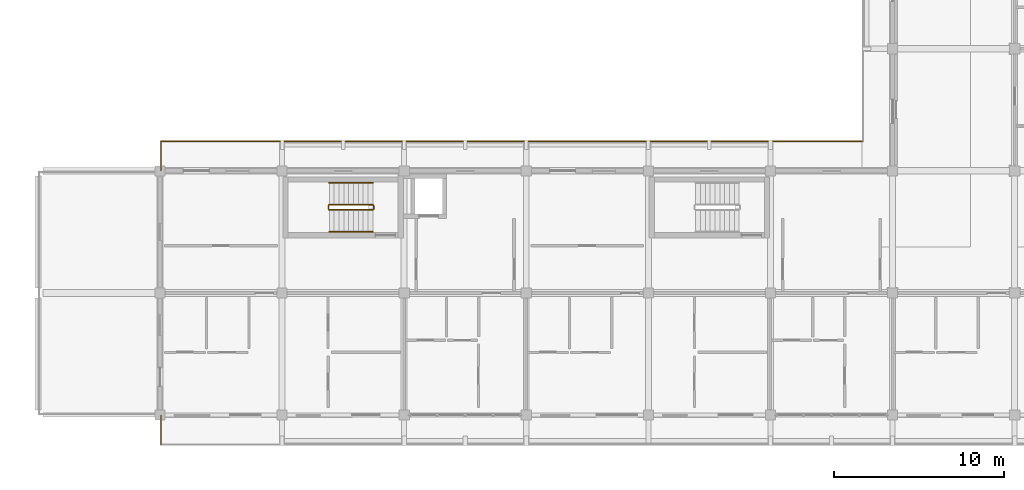
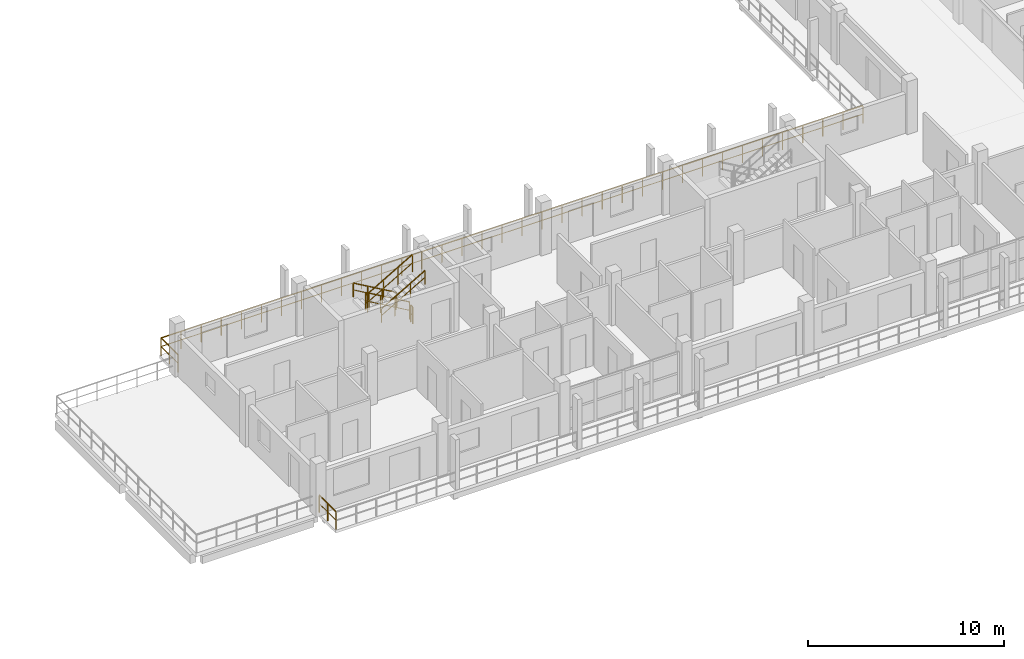
# One storey, part 69 of 75: 9 railings.
"""IFC4 building model written with IfcOpenShell, lengths in metres."""

from ifc_helpers import new_model, si_unit, direction, frame, origin, origin_2d, place, context, subcontext, project, spatial, rectangle, extrude, material, type_object, element, save


model = new_model("IFC4")

# Units and contexts
model_context = context("Model", 3, precision=1e-05, world=origin(), true_north=direction((0.0, 1.0)))
body_context = subcontext(model_context, "Body", "Model", "MODEL_VIEW")
ifc_project = project(units=[si_unit("LENGTHUNIT", "METRE"), si_unit("AREAUNIT", "SQUARE_METRE"), si_unit("VOLUMEUNIT", "CUBIC_METRE"), si_unit("PLANEANGLEUNIT", "RADIAN"), si_unit("MASSUNIT", "GRAM", prefix="KILO")], contexts=[model_context])

# Site, building, storey
site_placement = place(None, origin())
site = spatial("IfcSite", under=ifc_project, at=site_placement, CompositionType="ELEMENT")
building_placement = place(site_placement, origin())
building = spatial("IfcBuilding", under=site, at=building_placement, Name="Suanplinth Sawtooth Commons", CompositionType="ELEMENT")
storey_placement = place(building_placement, frame((0.0, 0.0, 18.60009765625)))
storey = spatial("IfcBuildingStorey", under=building, at=storey_placement, Name="L05", CompositionType="ELEMENT", Elevation=18.60009765625)

# Railings
ifc_material_1 = material(Name="Powder-coated galvanized steel", Category="steel")
railing_type_1 = type_object("IfcRailingType", Name="GR-01", PredefinedType="BALUSTRADE", material=ifc_material_1)
for number, where, name in (
    (1, (129.659912109375, -1.739990234375, 0.0), "L05 Block C Perimeter Balustrade 1"),
    (2, (129.659912109375, 14.419921875, 0.0), "L05 Block C Perimeter Balustrade 5"),
):
    element("IfcRailing", number, at=place(storey_placement, frame(where)), inside=storey, type_object=railing_type_1, Name=name, PredefinedType="BALUSTRADE", context=body_context, shape_type="SweptSolid", body=[
        extrude(rectangle(XDim=0.048095703125, YDim=0.048095703125, at=origin_2d()), frame((0.0, 0.0, 1.09619140625), z_axis=(0.0, 1.0, 0.0), x_axis=(-1.0, 0.0, 0.0)), (0.0, 0.0, 1.0), 1.719970703125),
        extrude(rectangle(XDim=0.03369140625, YDim=0.03369140625, at=origin_2d()), frame((0.0, 0.0, 0.56005859375), z_axis=(0.0, 1.0, 0.0), x_axis=(-1.0, 0.0, 0.0)), (0.0, 0.0, 1.0), 1.719970703125),
        extrude(rectangle(XDim=0.0419921875, YDim=0.0419921875, at=origin_2d()), origin(), (0.0, 0.0, 1.0), 1.072021484375),
        extrude(rectangle(XDim=0.0419921875, YDim=0.0419921875, at=origin_2d()), frame((0.0, 0.85986328125, 0.0)), (0.0, 0.0, 1.0), 1.072021484375),
        extrude(rectangle(XDim=0.0419921875, YDim=0.0419921875, at=origin_2d()), frame((0.0, 1.719970703125, 0.0)), (0.0, 0.0, 1.0), 1.072021484375),
    ])
railing_1_placement = place(storey_placement, frame((129.659912109375, 16.139892578125, 0.0)))
element("IfcRailing", 3, at=railing_1_placement, inside=storey, type_object=railing_type_1, Name="L05 Block C Perimeter Balustrade 6", PredefinedType="BALUSTRADE", context=body_context, shape_type="SweptSolid", body=[
    extrude(rectangle(XDim=0.048095703125, YDim=0.048095703125, at=origin_2d()), frame((0.0, 0.0, 1.09619140625), z_axis=(1.0, 0.0, 0.0), x_axis=(0.0, 1.0, 0.0)), (0.0, 0.0, 1.0), 41.400146484375),
    extrude(rectangle(XDim=0.03369140625, YDim=0.03369140625, at=origin_2d()), frame((0.0, 0.0, 0.56005859375), z_axis=(1.0, 0.0, 0.0), x_axis=(0.0, 1.0, 0.0)), (0.0, 0.0, 1.0), 41.400146484375),
    extrude(rectangle(XDim=0.0419921875, YDim=0.0419921875, at=origin_2d()), origin(), (0.0, 0.0, 1.0), 1.072021484375),
    extrude(rectangle(XDim=0.0419921875, YDim=0.0419921875, at=origin_2d()), frame((1.182861328125, 0.0, 0.0)), (0.0, 0.0, 1.0), 1.072021484375),
    extrude(rectangle(XDim=0.0419921875, YDim=0.0419921875, at=origin_2d()), frame((2.36572265625, 0.0, 0.0)), (0.0, 0.0, 1.0), 1.072021484375),
    extrude(rectangle(XDim=0.0419921875, YDim=0.0419921875, at=origin_2d()), frame((3.548583984375, 0.0, 0.0)), (0.0, 0.0, 1.0), 1.072021484375),
    extrude(rectangle(XDim=0.0419921875, YDim=0.0419921875, at=origin_2d()), frame((4.7314453125, 0.0, 0.0)), (0.0, 0.0, 1.0), 1.072021484375),
    extrude(rectangle(XDim=0.0419921875, YDim=0.0419921875, at=origin_2d()), frame((5.914306640625, 0.0, 0.0)), (0.0, 0.0, 1.0), 1.072021484375),
    extrude(rectangle(XDim=0.0419921875, YDim=0.0419921875, at=origin_2d()), frame((7.09716796875, 0.0, 0.0)), (0.0, 0.0, 1.0), 1.072021484375),
    extrude(rectangle(XDim=0.0419921875, YDim=0.0419921875, at=origin_2d()), frame((8.280029296875, 0.0, 0.0)), (0.0, 0.0, 1.0), 1.072021484375),
    extrude(rectangle(XDim=0.0419921875, YDim=0.0419921875, at=origin_2d()), frame((9.462890625, 0.0, 0.0)), (0.0, 0.0, 1.0), 1.072021484375),
    extrude(rectangle(XDim=0.0419921875, YDim=0.0419921875, at=origin_2d()), frame((10.645751953125, 0.0, 0.0)), (0.0, 0.0, 1.0), 1.072021484375),
    extrude(rectangle(XDim=0.0419921875, YDim=0.0419921875, at=origin_2d()), frame((11.82861328125, 0.0, 0.0)), (0.0, 0.0, 1.0), 1.072021484375),
    extrude(rectangle(XDim=0.0419921875, YDim=0.0419921875, at=origin_2d()), frame((13.011474609375, 0.0, 0.0)), (0.0, 0.0, 1.0), 1.072021484375),
    extrude(rectangle(XDim=0.0419921875, YDim=0.0419921875, at=origin_2d()), frame((14.1943359375, 0.0, 0.0)), (0.0, 0.0, 1.0), 1.072021484375),
    extrude(rectangle(XDim=0.0419921875, YDim=0.0419921875, at=origin_2d()), frame((15.377197265625, 0.0, 0.0)), (0.0, 0.0, 1.0), 1.072021484375),
    extrude(rectangle(XDim=0.0419921875, YDim=0.0419921875, at=origin_2d()), frame((16.56005859375, 0.0, 0.0)), (0.0, 0.0, 1.0), 1.072021484375),
    extrude(rectangle(XDim=0.0419921875, YDim=0.0419921875, at=origin_2d()), frame((17.742919921875, 0.0, 0.0)), (0.0, 0.0, 1.0), 1.072021484375),
    extrude(rectangle(XDim=0.0419921875, YDim=0.0419921875, at=origin_2d()), frame((18.92578125, 0.0, 0.0)), (0.0, 0.0, 1.0), 1.072021484375),
    extrude(rectangle(XDim=0.0419921875, YDim=0.0419921875, at=origin_2d()), frame((20.108642578125, 0.0, 0.0)), (0.0, 0.0, 1.0), 1.072021484375),
    extrude(rectangle(XDim=0.0419921875, YDim=0.0419921875, at=origin_2d()), frame((21.29150390625, 0.0, 0.0)), (0.0, 0.0, 1.0), 1.072021484375),
    extrude(rectangle(XDim=0.0419921875, YDim=0.0419921875, at=origin_2d()), frame((22.474365234375, 0.0, 0.0)), (0.0, 0.0, 1.0), 1.072021484375),
    extrude(rectangle(XDim=0.0419921875, YDim=0.0419921875, at=origin_2d()), frame((23.6572265625, 0.0, 0.0)), (0.0, 0.0, 1.0), 1.072021484375),
    extrude(rectangle(XDim=0.0419921875, YDim=0.0419921875, at=origin_2d()), frame((24.840087890625, 0.0, 0.0)), (0.0, 0.0, 1.0), 1.072021484375),
    extrude(rectangle(XDim=0.0419921875, YDim=0.0419921875, at=origin_2d()), frame((26.02294921875, 0.0, 0.0)), (0.0, 0.0, 1.0), 1.072021484375),
    extrude(rectangle(XDim=0.0419921875, YDim=0.0419921875, at=origin_2d()), frame((27.205810546875, 0.0, 0.0)), (0.0, 0.0, 1.0), 1.072021484375),
    extrude(rectangle(XDim=0.0419921875, YDim=0.0419921875, at=origin_2d()), frame((28.388671875, 0.0, 0.0)), (0.0, 0.0, 1.0), 1.072021484375),
    extrude(rectangle(XDim=0.0419921875, YDim=0.0419921875, at=origin_2d()), frame((29.571533203125, 0.0, 0.0)), (0.0, 0.0, 1.0), 1.072021484375),
    extrude(rectangle(XDim=0.0419921875, YDim=0.0419921875, at=origin_2d()), frame((30.75439453125, 0.0, 0.0)), (0.0, 0.0, 1.0), 1.072021484375),
    extrude(rectangle(XDim=0.0419921875, YDim=0.0419921875, at=origin_2d()), frame((31.937255859375, 0.0, 0.0)), (0.0, 0.0, 1.0), 1.072021484375),
    extrude(rectangle(XDim=0.0419921875, YDim=0.0419921875, at=origin_2d()), frame((33.1201171875, 0.0, 0.0)), (0.0, 0.0, 1.0), 1.072021484375),
    extrude(rectangle(XDim=0.0419921875, YDim=0.0419921875, at=origin_2d()), frame((34.302978515625, 0.0, 0.0)), (0.0, 0.0, 1.0), 1.072021484375),
    extrude(rectangle(XDim=0.0419921875, YDim=0.0419921875, at=origin_2d()), frame((35.48583984375, 0.0, 0.0)), (0.0, 0.0, 1.0), 1.072021484375),
    extrude(rectangle(XDim=0.0419921875, YDim=0.0419921875, at=origin_2d()), frame((36.668701171875, 0.0, 0.0)), (0.0, 0.0, 1.0), 1.072021484375),
    extrude(rectangle(XDim=0.0419921875, YDim=0.0419921875, at=origin_2d()), frame((37.8515625, 0.0, 0.0)), (0.0, 0.0, 1.0), 1.072021484375),
    extrude(rectangle(XDim=0.0419921875, YDim=0.0419921875, at=origin_2d()), frame((39.034423828125, 0.0, 0.0)), (0.0, 0.0, 1.0), 1.072021484375),
    extrude(rectangle(XDim=0.0419921875, YDim=0.0419921875, at=origin_2d()), frame((40.21728515625, 0.0, 0.0)), (0.0, 0.0, 1.0), 1.072021484375),
    extrude(rectangle(XDim=0.0419921875, YDim=0.0419921875, at=origin_2d()), frame((41.400146484375, 0.0, 0.0)), (0.0, 0.0, 1.0), 1.072021484375),
])
ifc_material_2 = material(Name="Stainless steel Grade 304", Category="steel")
railing_type_2 = type_object("IfcRailingType", Name="GR-04", PredefinedType="GUARDRAIL", material=ifc_material_2)
railing_2_placement = place(storey_placement, frame((142.14990234375, 12.39990234375, 0.164794921875)))
element("IfcRailing", 4, at=railing_2_placement, inside=storey, type_object=railing_type_2, Name="L05 ST-S1 Guard 1", PredefinedType="GUARDRAIL", context=body_context, shape_type="SweptSolid", body=[
    extrude(rectangle(XDim=0.048095703125, YDim=0.048095703125, at=origin_2d()), frame((0.0, 0.0, 1.076171875), z_axis=(-0.865405606168, 0.0, 0.501071987656), x_axis=(0.0, -1.0, 0.0)), (0.0, 0.0, 1.0), 2.9638671875),
    extrude(rectangle(XDim=0.03369140625, YDim=0.03369140625, at=origin_2d()), frame((0.0, 0.0, 0.550048828125), z_axis=(-0.865405606168, 0.0, 0.501071987656), x_axis=(0.0, -1.0, 0.0)), (0.0, 0.0, 1.0), 2.9638671875),
    extrude(rectangle(XDim=0.0419921875, YDim=0.0419921875, at=origin_2d()), origin(), (0.0, 0.0, 1.0), 1.052001953125),
    extrude(rectangle(XDim=0.0419921875, YDim=0.0419921875, at=origin_2d()), frame((-0.85498046875, 0.0, 0.4951171875)), (0.0, 0.0, 1.0), 1.052001953125),
    extrude(rectangle(XDim=0.0419921875, YDim=0.0419921875, at=origin_2d()), frame((-1.7099609375, 0.0, 0.989990234375)), (0.0, 0.0, 1.0), 1.052001953125),
    extrude(rectangle(XDim=0.0419921875, YDim=0.0419921875, at=origin_2d()), frame((-2.56494140625, 0.0, 1.485107421875)), (0.0, 0.0, 1.0), 1.052001953125),
])
railing_3_placement = place(storey_placement, frame((139.534912109375, 12.35009765625, 1.64990234375)))
element("IfcRailing", 5, at=railing_3_placement, inside=storey, type_object=railing_type_2, Name="L05 ST-S1 Guard 2", PredefinedType="GUARDRAIL", context=body_context, shape_type="SweptSolid", body=[
    extrude(rectangle(XDim=0.048095703125, YDim=0.048095703125, at=origin_2d()), frame((0.0, 0.0, 1.076171875), z_axis=(0.0, -1.0, 0.0), x_axis=(1.0, 0.0, 0.0)), (0.0, 0.0, 1.0), 0.2001953125),
    extrude(rectangle(XDim=0.03369140625, YDim=0.03369140625, at=origin_2d()), frame((0.0, 0.0, 0.550048828125), z_axis=(0.0, -1.0, 0.0), x_axis=(1.0, 0.0, 0.0)), (0.0, 0.0, 1.0), 0.2001953125),
    extrude(rectangle(XDim=0.0419921875, YDim=0.0419921875, at=origin_2d()), origin(), (0.0, 0.0, 1.0), 1.052001953125),
    extrude(rectangle(XDim=0.0419921875, YDim=0.0419921875, at=origin_2d()), frame((0.0, -0.2001953125, 0.0)), (0.0, 0.0, 1.0), 1.052001953125),
])
railing_4_placement = place(storey_placement, frame((139.5849609375, 12.10009765625, 1.81494140625)))
element("IfcRailing", 6, at=railing_4_placement, inside=storey, type_object=railing_type_2, Name="L05 ST-S1 Guard 3", PredefinedType="GUARDRAIL", context=body_context, shape_type="SweptSolid", body=[
    extrude(rectangle(XDim=0.048095703125, YDim=0.048095703125, at=origin_2d()), frame((0.0, 0.0, 1.076171875), z_axis=(0.865441324677, 0.0, 0.50101029285), x_axis=(0.0, 1.0, 0.0)), (0.0, 0.0, 1.0), 2.963623046875),
    extrude(rectangle(XDim=0.03369140625, YDim=0.03369140625, at=origin_2d()), frame((0.0, 0.0, 0.550048828125), z_axis=(0.865441324677, 0.0, 0.50101029285), x_axis=(0.0, 1.0, 0.0)), (0.0, 0.0, 1.0), 2.963623046875),
    extrude(rectangle(XDim=0.0419921875, YDim=0.0419921875, at=origin_2d()), origin(), (0.0, 0.0, 1.0), 1.052001953125),
    extrude(rectangle(XDim=0.0419921875, YDim=0.0419921875, at=origin_2d()), frame((0.85498046875, 0.0, 0.494873046875)), (0.0, 0.0, 1.0), 1.052001953125),
    extrude(rectangle(XDim=0.0419921875, YDim=0.0419921875, at=origin_2d()), frame((1.7099609375, 0.0, 0.989990234375)), (0.0, 0.0, 1.0), 1.052001953125),
    extrude(rectangle(XDim=0.0419921875, YDim=0.0419921875, at=origin_2d()), frame((2.56494140625, 0.0, 1.48486328125)), (0.0, 0.0, 1.0), 1.052001953125),
])
railing_5_placement = place(storey_placement, frame((142.199951171875, 12.35009765625, 0.0)))
element("IfcRailing", 7, at=railing_5_placement, inside=storey, type_object=railing_type_2, Name="L05 ST-S1 Guard 4", PredefinedType="GUARDRAIL", context=body_context, shape_type="SweptSolid", body=[
    extrude(rectangle(XDim=0.048095703125, YDim=0.048095703125, at=origin_2d()), frame((0.0, 0.0, 1.076171875), z_axis=(0.0, -1.0, 0.0), x_axis=(1.0, 0.0, 0.0)), (0.0, 0.0, 1.0), 0.2001953125),
    extrude(rectangle(XDim=0.03369140625, YDim=0.03369140625, at=origin_2d()), frame((0.0, 0.0, 0.550048828125), z_axis=(0.0, -1.0, 0.0), x_axis=(1.0, 0.0, 0.0)), (0.0, 0.0, 1.0), 0.2001953125),
    extrude(rectangle(XDim=0.0419921875, YDim=0.0419921875, at=origin_2d()), origin(), (0.0, 0.0, 1.0), 1.052001953125),
    extrude(rectangle(XDim=0.0419921875, YDim=0.0419921875, at=origin_2d()), frame((0.0, -0.2001953125, 0.0)), (0.0, 0.0, 1.0), 1.052001953125),
])
railing_type_3 = type_object("IfcRailingType", Name="HR-01", PredefinedType="HANDRAIL", material=ifc_material_2)
railing_6_placement = place(storey_placement, frame((142.14990234375, 13.699951171875, 0.164794921875)))
element("IfcRailing", 8, at=railing_6_placement, inside=storey, type_object=railing_type_3, Name="L05 ST-S1 Handrail 1", PredefinedType="HANDRAIL", context=body_context, shape_type="SweptSolid", body=[
    extrude(rectangle(XDim=0.048095703125, YDim=0.048095703125, at=origin_2d()), frame((0.0, 0.0, 0.8759765625), z_axis=(-0.865405606168, 0.0, 0.501071987656), x_axis=(0.0, -1.0, 0.0)), (0.0, 0.0, 1.0), 2.9638671875),
    extrude(rectangle(XDim=0.03369140625, YDim=0.03369140625, at=origin_2d()), frame((0.0, 0.0, 0.449951171875), z_axis=(-0.865405606168, 0.0, 0.501071987656), x_axis=(0.0, -1.0, 0.0)), (0.0, 0.0, 1.0), 2.9638671875),
    extrude(rectangle(XDim=0.0419921875, YDim=0.0419921875, at=origin_2d()), origin(), (0.0, 0.0, 1.0), 0.851806640625),
    extrude(rectangle(XDim=0.0419921875, YDim=0.0419921875, at=origin_2d()), frame((-0.85498046875, 0.0, 0.4951171875)), (0.0, 0.0, 1.0), 0.851806640625),
    extrude(rectangle(XDim=0.0419921875, YDim=0.0419921875, at=origin_2d()), frame((-1.7099609375, 0.0, 0.989990234375)), (0.0, 0.0, 1.0), 0.851806640625),
    extrude(rectangle(XDim=0.0419921875, YDim=0.0419921875, at=origin_2d()), frame((-2.56494140625, 0.0, 1.485107421875)), (0.0, 0.0, 1.0), 0.851806640625),
])
railing_7_placement = place(storey_placement, frame((139.5849609375, 10.800048828125, 1.81494140625)))
element("IfcRailing", 9, at=railing_7_placement, inside=storey, type_object=railing_type_3, Name="L05 ST-S1 Handrail 2", PredefinedType="HANDRAIL", context=body_context, shape_type="SweptSolid", body=[
    extrude(rectangle(XDim=0.048095703125, YDim=0.048095703125, at=origin_2d()), frame((0.0, 0.0, 0.8759765625), z_axis=(0.865441324677, 0.0, 0.50101029285), x_axis=(0.0, 1.0, 0.0)), (0.0, 0.0, 1.0), 2.963623046875),
    extrude(rectangle(XDim=0.03369140625, YDim=0.03369140625, at=origin_2d()), frame((0.0, 0.0, 0.449951171875), z_axis=(0.865441324677, 0.0, 0.50101029285), x_axis=(0.0, 1.0, 0.0)), (0.0, 0.0, 1.0), 2.963623046875),
    extrude(rectangle(XDim=0.0419921875, YDim=0.0419921875, at=origin_2d()), origin(), (0.0, 0.0, 1.0), 0.851806640625),
    extrude(rectangle(XDim=0.0419921875, YDim=0.0419921875, at=origin_2d()), frame((0.85498046875, 0.0, 0.494873046875)), (0.0, 0.0, 1.0), 0.851806640625),
    extrude(rectangle(XDim=0.0419921875, YDim=0.0419921875, at=origin_2d()), frame((1.7099609375, 0.0, 0.989990234375)), (0.0, 0.0, 1.0), 0.851806640625),
    extrude(rectangle(XDim=0.0419921875, YDim=0.0419921875, at=origin_2d()), frame((2.56494140625, 0.0, 1.48486328125)), (0.0, 0.0, 1.0), 0.851806640625),
])

save(model, "model.ifc")
